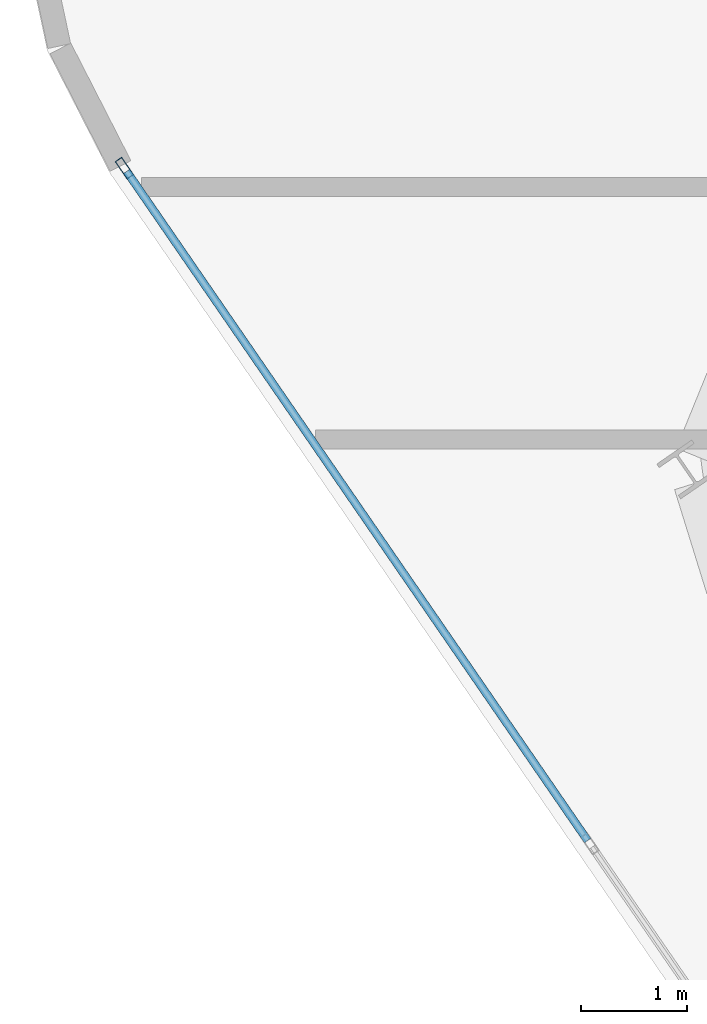
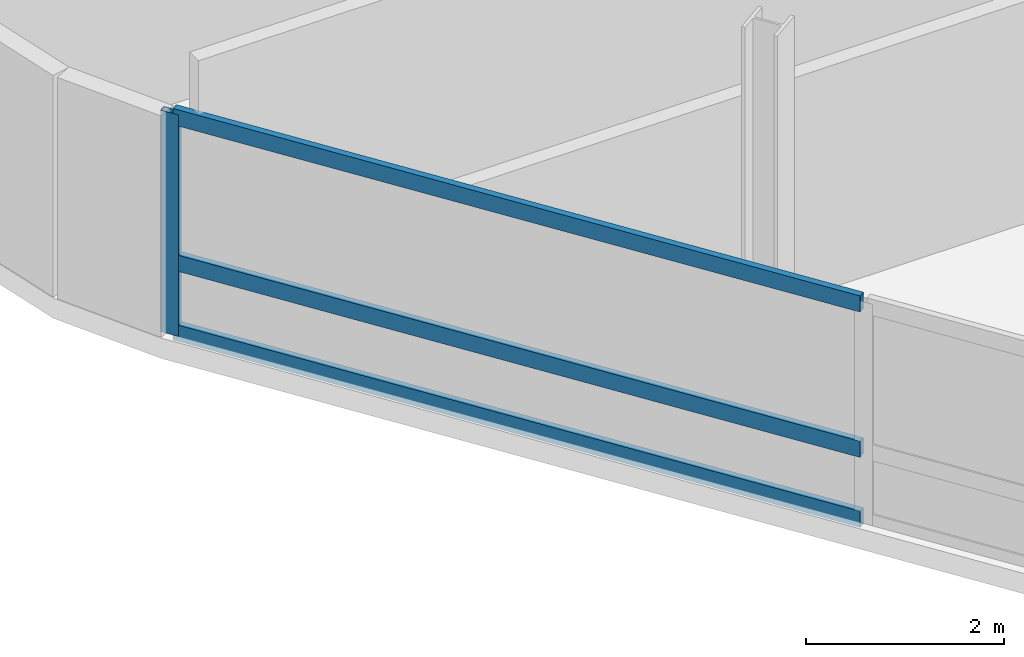
# One storey, part 7 of 23: 4 members, 1 element without a shape of its own.
"""IFC4 building model written with IfcOpenShell, lengths in metres."""

import ifcopenshell
import ifcopenshell.guid

model = None  # the IFC model being written
_history = None  # IfcOwnerHistory: only IFC2X3 demands one
_inside = {}  # id of a spatial element -> (the spatial element, [elements in it])
_under = {}  # id of a project, library or spatial element -> (it, [spatial elements below it])
_declared = {}  # id of a project -> (the project, [libraries it declares])
_typed = {}  # id of a type object -> (the type object, [elements of that type])
_made_of = {}  # id of a material, layer set ... -> (it, [elements and type objects made of it])


def new_model(schema):
    """Start an empty IFC model of exactly this schema.

    Asked for "IFC4X3", IfcOpenShell would pick the latest addendum, in which some entities
    have other attributes; the version numbers below select the first issue.
    IFC2X3 requires an IfcOwnerHistory on every rooted entity: one is made here for all.
    """
    global model, _history
    if schema == "IFC4X3":
        model = ifcopenshell.file(schema_version=(4, 3, 0, 0))
    else:
        model = ifcopenshell.file(schema=schema)
    _inside.clear()
    _under.clear()
    _declared.clear()
    _typed.clear()
    _made_of.clear()
    _history = None
    if model.schema == "IFC2X3":
        org = make("IfcOrganization", Name="unknown")
        user = make(
            "IfcPersonAndOrganization",
            ThePerson=make("IfcPerson", FamilyName="unknown"),
            TheOrganization=org,
        )
        app = make(
            "IfcApplication",
            ApplicationDeveloper=org,
            Version="unknown",
            ApplicationFullName="unknown",
            ApplicationIdentifier="unknown",
        )
        _history = make(
            "IfcOwnerHistory",
            OwningUser=user,
            OwningApplication=app,
            ChangeAction="ADDED",
            CreationDate=0,
        )
    return model


def make(cls, **values):
    """One entity of the class cls with the attributes given. An attribute that is None is left unset."""
    return model.create_entity(
        cls, **{name: value for name, value in values.items() if value is not None}
    )


def rooted(cls, **values):
    """An entity with a GlobalId (a new one), such as an element, a storey or a relation."""
    return make(cls, GlobalId=ifcopenshell.guid.new(), OwnerHistory=_history, **values)


def si_unit(unit_type, name, prefix=None):
    """IfcSIUnit, for example si_unit("LENGTHUNIT", "METRE", prefix="MILLI")."""
    return make("IfcSIUnit", UnitType=unit_type, Prefix=prefix, Name=name)


def assignment(units):
    """IfcUnitAssignment: the units of a project."""
    return None if units is None else make("IfcUnitAssignment", Units=units)


def point(xyz):
    """IfcCartesianPoint."""
    return None if xyz is None else make("IfcCartesianPoint", Coordinates=xyz)


def direction(xyz):
    """IfcDirection."""
    return None if xyz is None else make("IfcDirection", DirectionRatios=xyz)


def frame(location, z_axis=None, x_axis=None):
    """IfcAxis2Placement3D, a coordinate frame: its origin and axes. An axis left out is left unset."""
    return make(
        "IfcAxis2Placement3D",
        Location=point(location),
        Axis=direction(z_axis),
        RefDirection=direction(x_axis),
    )


def frame_2d(location, x_axis=None):
    """IfcAxis2Placement2D, a coordinate frame in the plane: its origin and x axis."""
    return make(
        "IfcAxis2Placement2D", Location=point(location), RefDirection=direction(x_axis)
    )


def origin():
    """The frame at (0, 0, 0) with its axes left unset."""
    return frame((0.0, 0.0, 0.0))


def origin_2d():
    """The frame at (0, 0) in the plane with its x axis left unset."""
    return frame_2d((0.0, 0.0))


def place(relative_to, where):
    """IfcLocalPlacement: puts the frame where relative to a parent placement (None: the world)."""
    return make(
        "IfcLocalPlacement", PlacementRelTo=relative_to, RelativePlacement=where
    )


def context(
    kind, dimensions, precision=None, world=None, true_north=None, identifier=None
):
    """IfcGeometricRepresentationContext, for example the 3D "Model" context."""
    return make(
        "IfcGeometricRepresentationContext",
        ContextIdentifier=identifier,
        ContextType=kind,
        CoordinateSpaceDimension=dimensions,
        Precision=precision,
        WorldCoordinateSystem=world,
        TrueNorth=true_north,
    )


def subcontext(parent, identifier, kind, view, scale=None):
    """IfcGeometricRepresentationSubContext, for example "Body" below "Model"."""
    return make(
        "IfcGeometricRepresentationSubContext",
        ContextIdentifier=identifier,
        ContextType=kind,
        ParentContext=parent,
        TargetScale=scale,
        TargetView=view,
    )


def project(units=None, contexts=None):
    """IfcProject with its units and contexts."""
    return rooted(
        "IfcProject",
        Name="project",
        RepresentationContexts=contexts,
        UnitsInContext=assignment(units),
    )


def spatial(cls, under=None, at=None, **own):
    """A site, building, storey or space (cls), placed at a placement, below another one or the project."""
    s = rooted(cls, ObjectPlacement=at, **own)
    if under is not None:
        _under.setdefault(under.id(), (under, []))[1].append(s)
    return s


def profile(cls, at=None, kind="AREA", **sizes):
    """A parametric profile (cls). Its sizes go by their IFC names, for example OverallWidth=200.0."""
    return make(cls, ProfileType=kind, Position=at, **sizes)


def hollow_rectangle(**sizes):
    """IfcRectangleHollowProfileDef."""
    return profile("IfcRectangleHollowProfileDef", **sizes)


def extrude(swept, where, along, depth):
    """IfcExtrudedAreaSolid: the profile swept, set in the frame where, extruded along a direction by depth."""
    return make(
        "IfcExtrudedAreaSolid",
        SweptArea=swept,
        Position=where,
        ExtrudedDirection=direction(along),
        Depth=depth,
    )


def shape(context_of_items, identifier, shape_type, items):
    """IfcShapeRepresentation: the items that make up one representation, for example the "Body"."""
    return make(
        "IfcShapeRepresentation",
        ContextOfItems=context_of_items,
        RepresentationIdentifier=identifier,
        RepresentationType=shape_type,
        Items=items,
    )


def material(Name=None, Category=None):
    """IfcMaterial."""
    return make("IfcMaterial", Name=Name, Category=Category)


def layer(
    of_material, thickness, ventilated=None, Name=None, Category=None, Priority=None
):
    """IfcMaterialLayer: one layer of a wall or slab, of a material (None: an air gap)."""
    return make(
        "IfcMaterialLayer",
        Material=of_material,
        LayerThickness=thickness,
        IsVentilated=ventilated,
        Name=Name,
        Category=Category,
        Priority=Priority,
    )


def layer_set(layers, Name=None):
    """IfcMaterialLayerSet."""
    return make("IfcMaterialLayerSet", MaterialLayers=layers, LayerSetName=Name)


def material_profile(
    of_material, cross_section, Name=None, Category=None, Priority=None
):
    """IfcMaterialProfile: a cross section and its material."""
    return make(
        "IfcMaterialProfile",
        Name=Name,
        Material=of_material,
        Profile=cross_section,
        Priority=Priority,
        Category=Category,
    )


def profile_set(profiles, Name=None, composite=None):
    """IfcMaterialProfileSet."""
    return make(
        "IfcMaterialProfileSet",
        Name=Name,
        MaterialProfiles=profiles,
        CompositeProfile=composite,
    )


def made_of(thing, what):
    """Note that an element or type object is made of a material, layer set ...; save() writes the relation."""
    if what is not None:
        _made_of.setdefault(what.id(), (what, []))[1].append(thing)
    return thing


def type_object(cls, material=None, **own):
    """A type object (cls), such as IfcWallType, which elements share."""
    return made_of(rooted(cls, **own), material)


def element(
    cls,
    number,
    at=None,
    inside=None,
    cuts=None,
    type_object=None,
    material=None,
    context=None,
    identifier="Body",
    shape_type=None,
    held_by="IfcProductDefinitionShape",
    body=None,
    shapes=None,
    **own,
):
    """One element of the class cls, such as IfcWall. Its Tag is "e" and its number.

    at: its placement. inside: the storey or other place that contains it. cuts: it is an
    opening in that element (IfcRelVoidsElement). A single representation is given by context,
    identifier, shape_type and body (its items); several are given by shapes. held_by: the class
    of the entity that holds the representations. save() writes the other relations.
    """
    e = rooted(cls, Tag="e%d" % number, ObjectPlacement=at, **own)
    if body is not None:
        shapes = [shape(context, identifier, shape_type, body)]
    if shapes is not None:
        e.Representation = make(held_by, Representations=shapes)
    if inside is not None:
        _inside.setdefault(inside.id(), (inside, []))[1].append(e)
    if cuts is not None:
        rooted(
            "IfcRelVoidsElement", RelatingBuildingElement=cuts, RelatedOpeningElement=e
        )
    if type_object is not None:
        _typed.setdefault(type_object.id(), (type_object, []))[1].append(e)
    return made_of(e, material)


def aggregate(whole, parts):
    """IfcRelAggregates: a whole, such as a stair, and the parts it consists of."""
    return rooted("IfcRelAggregates", RelatingObject=whole, RelatedObjects=parts)


def save(model, path):
    """Write the relations noted so far, then the file.

    IfcRelAggregates (storeys below a building ...), IfcRelContainedInSpatialStructure (elements
    in a storey), IfcRelDefinesByType, IfcRelAssociatesMaterial and IfcRelDeclares: one each for
    every whole, place, type object, material and project.
    """
    for whole, parts in _under.values():
        aggregate(whole, parts)
    for where, things in _inside.values():
        rooted(
            "IfcRelContainedInSpatialStructure",
            RelatedElements=things,
            RelatingStructure=where,
        )
    for kind, things in _typed.values():
        rooted("IfcRelDefinesByType", RelatedObjects=things, RelatingType=kind)
    for what, things in _made_of.values():
        rooted("IfcRelAssociatesMaterial", RelatedObjects=things, RelatingMaterial=what)
    for by, libraries in _declared.values():
        rooted("IfcRelDeclares", RelatingContext=by, RelatedDefinitions=libraries)
    model.write(path)


model = new_model("IFC4")

# Units and contexts
model_context = context("Model", 3, precision=1e-05, world=origin(), true_north=direction((0.0, 1.0)))
body_context = subcontext(model_context, "Body", "Model", "MODEL_VIEW")
ifc_project = project(units=[si_unit("LENGTHUNIT", "METRE"), si_unit("AREAUNIT", "SQUARE_METRE"), si_unit("VOLUMEUNIT", "CUBIC_METRE"), si_unit("PLANEANGLEUNIT", "RADIAN"), si_unit("MASSUNIT", "GRAM", prefix="KILO")], contexts=[model_context])

# Site, building, storey
site_placement = place(None, origin())
site = spatial("IfcSite", under=ifc_project, at=site_placement, CompositionType="ELEMENT")
building_placement = place(site_placement, origin())
building = spatial("IfcBuilding", under=site, at=building_placement, Name="Varnelok Gate Tower", CompositionType="ELEMENT")
storey_placement = place(building_placement, frame((0.0, 0.0, 273.0)))
storey = spatial("IfcBuildingStorey", under=building, at=storey_placement, Name="L70", CompositionType="ELEMENT", Elevation=273.0)

# Curtain wall, members
ifc_material = material(Name="Anodized Aluminum Alloy 6063-T6", Category="aluminium")
ifc_layer = layer(ifc_material, 0.179931640625)
ifc_layer_set = layer_set([ifc_layer], Name="Anodized Aluminum Alloy 6063-T6")
curtain_wall_type = type_object("IfcCurtainWallType", Name="CW4-RESIDENCE-VISION", PredefinedType="USERDEFINED", material=ifc_layer_set)
curtain_wall_placement = place(storey_placement, origin())
curtain_wall = element("IfcCurtainWall", 1, at=curtain_wall_placement, inside=storey, type_object=curtain_wall_type, Name="L70 West End Vision Curtain Wall", ObjectType="UNITISED CURTAIN WALL", PredefinedType="USERDEFINED")
ifc_material_profile_1 = material_profile(ifc_material, hollow_rectangle(XDim=0.074951171875, YDim=0.199951171875, WallThickness=0.00390625, at=origin_2d()), Name="ALU200X75X4")
ifc_profile_set_1 = profile_set([ifc_material_profile_1], Name="Anodized Aluminum Alloy 6063-T6")
member_type_1 = type_object("IfcMemberType", Name="CW-MULL-200", PredefinedType="MULLION", material=ifc_profile_set_1)
member_1_placement = place(storey_placement, frame((3.228271484375, 19.4189453125, 0.0), z_axis=(0.0, 0.0, 1.0), x_axis=(-0.823532290241, -0.567269395376, 0.0)))
member_1 = element("IfcMember", 2, at=member_1_placement, type_object=member_type_1, Name="CW4 mullion 5", PredefinedType="MULLION", context=body_context, shape_type="SweptSolid", body=[
    extrude(hollow_rectangle(XDim=0.074951171875, YDim=0.199951171875, WallThickness=0.00390625, at=origin_2d()), origin(), (0.0, 0.0, 1.0), 2.72998046875),
])
ifc_material_profile_2 = material_profile(ifc_material, hollow_rectangle(XDim=0.074951171875, YDim=0.199951171875, WallThickness=0.00390625, at=origin_2d()), Name="ALU200X75X4")
ifc_profile_set_2 = profile_set([ifc_material_profile_2], Name="Anodized Aluminum Alloy 6063-T6")
member_type_2 = type_object("IfcMemberType", Name="CW-TRAN-200", PredefinedType="USERDEFINED", material=ifc_profile_set_2)
member_2_placement = place(storey_placement, frame((7.6103515625, 13.05712890625, 0.03759765625), z_axis=(-0.567256418128, 0.82354122914, 0.0), x_axis=(-0.82354122914, -0.567256418128, 0.0)))
member_2 = element("IfcMember", 3, at=member_2_placement, type_object=member_type_2, Name="CW4 transom 4.1", ObjectType="TRANSOM", PredefinedType="USERDEFINED", context=body_context, shape_type="SweptSolid", body=[
    extrude(hollow_rectangle(XDim=0.074951171875, YDim=0.199951171875, WallThickness=0.00390625, at=origin_2d()), origin(), (0.0, 0.0, 1.0), 7.6875),
])
member_3_placement = place(storey_placement, frame((7.6103515625, 13.05712890625, 0.89990234375), z_axis=(-0.567256418128, 0.82354122914, 0.0), x_axis=(-0.82354122914, -0.567256418128, 0.0)))
member_3 = element("IfcMember", 4, at=member_3_placement, type_object=member_type_2, Name="CW4 transom 4.2", ObjectType="TRANSOM", PredefinedType="USERDEFINED", context=body_context, shape_type="SweptSolid", body=[
    extrude(hollow_rectangle(XDim=0.074951171875, YDim=0.199951171875, WallThickness=0.00390625, at=origin_2d()), origin(), (0.0, 0.0, 1.0), 7.6875),
])
member_4_placement = place(storey_placement, frame((7.6103515625, 13.05712890625, 2.6923828125), z_axis=(-0.567256418128, 0.82354122914, 0.0), x_axis=(-0.82354122914, -0.567256418128, 0.0)))
member_4 = element("IfcMember", 5, at=member_4_placement, type_object=member_type_2, Name="CW4 transom 4.3", ObjectType="TRANSOM", PredefinedType="USERDEFINED", context=body_context, shape_type="SweptSolid", body=[
    extrude(hollow_rectangle(XDim=0.074951171875, YDim=0.199951171875, WallThickness=0.00390625, at=origin_2d()), origin(), (0.0, 0.0, 1.0), 7.6875),
])
aggregate(curtain_wall, [member_1, member_2, member_3, member_4])

save(model, "model.ifc")
